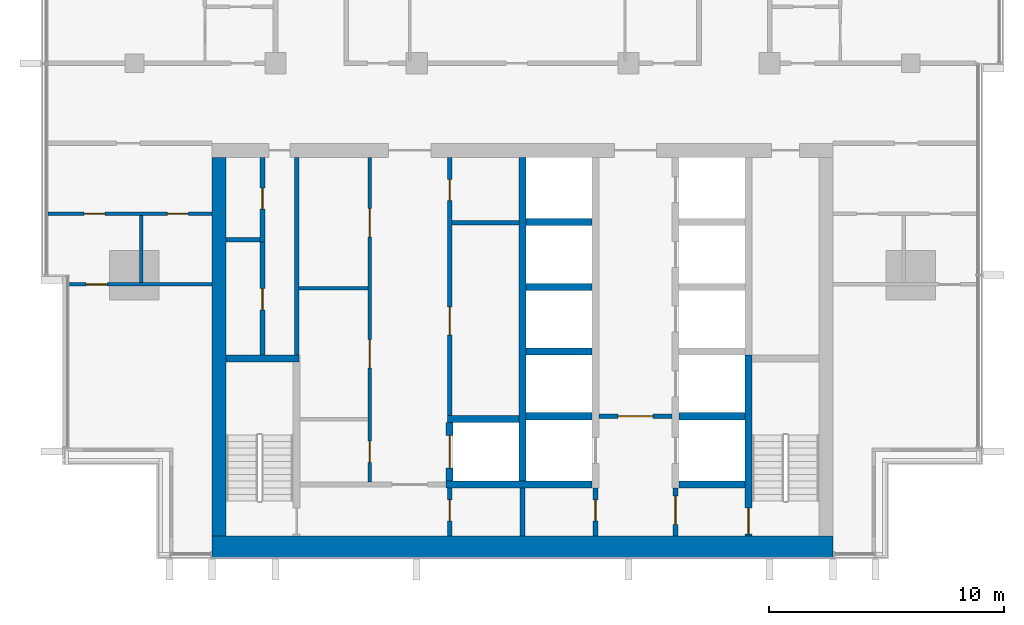
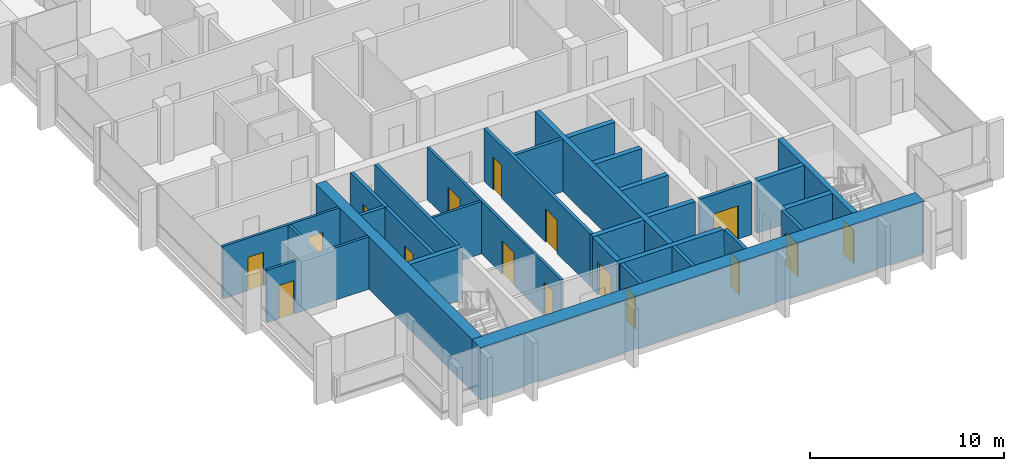
# One storey, part 7 of 17: 30 walls, 16 doors, 16 openings.
"""IFC4 building model written with IfcOpenShell, lengths in metres."""

from ifc_helpers import new_model, si_unit, direction, frame, frame_2d, origin, place, context, subcontext, project, spatial, rectangle, extrude, material, layer, layer_set, type_object, element, fill, save


model = new_model("IFC4")

# Units and contexts
model_context = context("Model", 3, precision=1e-05, world=origin(), true_north=direction((0.0, 1.0)))
body_context = subcontext(model_context, "Body", "Model", "MODEL_VIEW")
ifc_project = project(units=[si_unit("LENGTHUNIT", "METRE"), si_unit("AREAUNIT", "SQUARE_METRE"), si_unit("VOLUMEUNIT", "CUBIC_METRE"), si_unit("PLANEANGLEUNIT", "RADIAN"), si_unit("MASSUNIT", "GRAM", prefix="KILO")], contexts=[model_context])

# Site, building, storey
site_placement = place(None, origin())
site = spatial("IfcSite", under=ifc_project, at=site_placement, CompositionType="ELEMENT")
building_placement = place(site_placement, origin())
building = spatial("IfcBuilding", under=site, at=building_placement, Name="Finial Court Residences", CompositionType="ELEMENT")
storey_placement = place(building_placement, frame((0.0, 0.0, 205.10009765625)))
storey = spatial("IfcBuildingStorey", under=building, at=storey_placement, Name="L51", CompositionType="ELEMENT", Elevation=205.10009765625)

# Walls
ifc_material_1 = material(Name="Concrete C60/75", Category="concrete")
ifc_layer_1 = layer(ifc_material_1, 0.60009765625)
ifc_layer_set_1 = layer_set([ifc_layer_1], Name="Core outer wall 600 Concrete C60/75")
wall_type_1 = type_object("IfcWallType", Name="Core outer wall 600 Concrete C60/75", PredefinedType="SHEAR", material=ifc_layer_set_1)
wall_1_placement = place(storey_placement, frame((-12.89990234375, -24.60009765625, 0.0), z_axis=(0.0, 0.0, 1.0), x_axis=(0.0, 1.0, 0.0)))
element("IfcWall", 1, at=wall_1_placement, inside=storey, type_object=wall_type_1, Name="Core outer wall L51-03", PredefinedType="SHEAR", context=body_context, shape_type="SweptSolid", body=[
    extrude(rectangle(XDim=16.10009765625, YDim=0.60009765625, at=frame_2d((8.050048828125, 0.0))), origin(), (0.0, 0.0, 1.0), 3.2998046875),
])
ifc_material_2 = material(Name="Fire-rated gypsum board partition")
ifc_layer_2 = layer(ifc_material_2, 0.14990234375)
ifc_layer_set_2 = layer_set([ifc_layer_2], Name="Core room partition 150 EI 60")
wall_type_2 = type_object("IfcWallType", Name="Core room partition 150 EI 60", PredefinedType="PARTITIONING", material=ifc_layer_set_2)
wall_2_placement = place(storey_placement, frame((-9.5, -14.06005859375, 0.0), z_axis=(0.0, 0.0, 1.0), x_axis=(1.0, 0.0, 0.0)))
element("IfcWall", 2, at=wall_2_placement, inside=storey, type_object=wall_type_2, Name="Core partition L51-13", PredefinedType="PARTITIONING", context=body_context, shape_type="SweptSolid", body=[
    extrude(rectangle(XDim=2.925048828125, YDim=0.14990234375, at=frame_2d((1.46240234375, 0.0))), origin(), (0.0, 0.0, 1.0), 3.2998046875),
])

# Wall, openings, doors
wall_3_placement = place(storey_placement, frame((-6.5, -22.300048828125, 0.0), z_axis=(0.0, 0.0, 1.0), x_axis=(0.0, 1.0, 0.0)))
wall_3 = element("IfcWall", 3, at=wall_3_placement, inside=storey, type_object=wall_type_2, Name="Core partition L51-24", PredefinedType="PARTITIONING", context=body_context, shape_type="SweptSolid", body=[
    extrude(rectangle(XDim=13.800048828125, YDim=0.14990234375, at=frame_2d((6.89990234375, 0.0))), origin(), (0.0, 0.0, 1.0), 3.2998046875),
])
opening_1_placement = place(wall_3_placement, frame((0.840087890625, 0.0, 0.0)))
opening_1 = element("IfcOpeningElement", 4, at=opening_1_placement, cuts=wall_3, Name="Opening L51-C14", PredefinedType="OPENING", context=body_context, shape_type="SweptSolid", body=[
    extrude(rectangle(XDim=0.89990234375, YDim=2.10009765625, at=frame_2d((0.449951171875, 1.050048828125))), frame((0.0, 0.0849609375, 0.0), z_axis=(0.0, -1.0, 0.0), x_axis=(1.0, 0.0, 0.0)), (0.0, 0.0, 1.0), 0.169921875),
])
opening_2_placement = place(wall_3_placement, frame((4.860107421875, 0.0, 0.0)))
opening_2 = element("IfcOpeningElement", 5, at=opening_2_placement, cuts=wall_3, Name="Opening L51-C15", PredefinedType="OPENING", context=body_context, shape_type="SweptSolid", body=[
    extrude(rectangle(XDim=1.199951171875, YDim=2.10009765625, at=frame_2d((0.60009765625, 1.050048828125))), frame((0.0, 0.0849609375, 0.0), z_axis=(0.0, -1.0, 0.0), x_axis=(1.0, 0.0, 0.0)), (0.0, 0.0, 1.0), 0.169921875),
])
opening_3_placement = place(wall_3_placement, frame((10.419921875, 0.0, 0.0)))
opening_3 = element("IfcOpeningElement", 6, at=opening_3_placement, cuts=wall_3, Name="Opening L51-C16", PredefinedType="OPENING", context=body_context, shape_type="SweptSolid", body=[
    extrude(rectangle(XDim=1.199951171875, YDim=2.10009765625, at=frame_2d((0.60009765625, 1.050048828125))), frame((0.0, 0.0849609375, 0.0), z_axis=(0.0, -1.0, 0.0), x_axis=(1.0, 0.0, 0.0)), (0.0, 0.0, 1.0), 0.169921875),
])
ifc_material_3 = material(Name="Steel fire door", Category="steel")
door_type_1 = type_object("IfcDoorType", Name="Core room door 1200 x 2100 EI 60", OperationType="NOTDEFINED", PredefinedType="DOOR", material=ifc_material_3)
door_1_placement = place(opening_2_placement, origin())
door_1 = element("IfcDoor", 7, at=door_1_placement, inside=storey, type_object=door_type_1, Name="Core room door L51-C15", OperationType="SINGLE_SWING_RIGHT", OverallHeight=2.10009765625, OverallWidth=1.199951171875, PredefinedType="DOOR", context=body_context, shape_type="SweptSolid", body=[
    extrude(rectangle(XDim=1.199951171875, YDim=2.10009765625, at=frame_2d((0.60009765625, 1.050048828125))), frame((0.0, 0.02490234375, 0.0), z_axis=(0.0, -1.0, 0.0), x_axis=(1.0, 0.0, 0.0)), (0.0, 0.0, 1.0), 0.050048828125),
])
fill(opening_2, door_1)
door_2_placement = place(opening_3_placement, origin())
door_2 = element("IfcDoor", 8, at=door_2_placement, inside=storey, type_object=door_type_1, Name="Core room door L51-C16", OperationType="SINGLE_SWING_RIGHT", OverallHeight=2.10009765625, OverallWidth=1.199951171875, PredefinedType="DOOR", context=body_context, shape_type="SweptSolid", body=[
    extrude(rectangle(XDim=1.199951171875, YDim=2.10009765625, at=frame_2d((0.60009765625, 1.050048828125))), frame((0.0, 0.02490234375, 0.0), z_axis=(0.0, -1.0, 0.0), x_axis=(1.0, 0.0, 0.0)), (0.0, 0.0, 1.0), 0.050048828125),
])
fill(opening_3, door_2)
door_type_2 = type_object("IfcDoorType", Name="Core room door 900 x 2100 EI 60", OperationType="NOTDEFINED", PredefinedType="DOOR", material=ifc_material_3)
door_3_placement = place(opening_1_placement, origin())
door_3 = element("IfcDoor", 9, at=door_3_placement, inside=storey, type_object=door_type_2, Name="Core room door L51-C14", OperationType="SINGLE_SWING_LEFT", OverallHeight=2.10009765625, OverallWidth=0.89990234375, PredefinedType="DOOR", context=body_context, shape_type="SweptSolid", body=[
    extrude(rectangle(XDim=0.89990234375, YDim=2.10009765625, at=frame_2d((0.449951171875, 1.050048828125))), frame((0.0, 0.02490234375, 0.0), z_axis=(0.0, -1.0, 0.0), x_axis=(1.0, 0.0, 0.0)), (0.0, 0.0, 1.0), 0.050048828125),
])
fill(opening_1, door_3)

# Wall
ifc_layer_3 = layer(ifc_material_1, 0.89990234375)
ifc_layer_set_3 = layer_set([ifc_layer_3], Name="Core south facade wall 900 Concrete C60/75")
wall_type_3 = type_object("IfcWallType", Name="Core south facade wall 900 Concrete C60/75", PredefinedType="SHEAR", material=ifc_layer_set_3)
wall_4_placement = place(storey_placement, frame((-13.199951171875, -25.050048828125, 0.0), z_axis=(0.0, 0.0, 1.0), x_axis=(1.0, 0.0, 0.0)))
element("IfcWall", 10, at=wall_4_placement, inside=storey, type_object=wall_type_3, Name="Core outer wall L51-01", PredefinedType="SHEAR", context=body_context, shape_type="SweptSolid", body=[
    extrude(rectangle(XDim=26.39990234375, YDim=0.89990234375, at=frame_2d((13.199951171875, 0.0))), origin(), (0.0, 0.0, 1.0), 3.2998046875),
])

# Wall, opening, door
ifc_layer_4 = layer(ifc_material_2, 0.199951171875)
ifc_layer_set_4 = layer_set([ifc_layer_4], Name="Firefighting lobby wall 200 EI 120")
wall_type_4 = type_object("IfcWallType", Name="Firefighting lobby wall 200 EI 120", PredefinedType="PARTITIONING", material=ifc_layer_set_4)
wall_5_placement = place(storey_placement, frame((6.35009765625, -19.5, 0.0), z_axis=(0.0, 0.0, 1.0), x_axis=(-1.0, 0.0, 0.0)))
wall_5 = element("IfcWall", 11, at=wall_5_placement, inside=storey, type_object=wall_type_4, Name="Core partition L51-07", PredefinedType="PARTITIONING", context=body_context, shape_type="SweptSolid", body=[
    extrude(rectangle(XDim=3.10009765625, YDim=0.199951171875, at=frame_2d((1.550048828125, 0.0))), origin(), (0.0, 0.0, 1.0), 3.2998046875),
])
opening_4_placement = place(wall_5_placement, frame((0.800048828125, 0.0, 0.0)))
opening_4 = element("IfcOpeningElement", 12, at=opening_4_placement, cuts=wall_5, Name="Opening L51-C02", PredefinedType="OPENING", context=body_context, shape_type="SweptSolid", body=[
    extrude(rectangle(XDim=1.5, YDim=2.10009765625, at=frame_2d((0.75, 1.050048828125))), frame((0.0, 0.10986328125, 0.0), z_axis=(0.0, -1.0, 0.0), x_axis=(1.0, 0.0, 0.0)), (0.0, 0.0, 1.0), 0.219970703125),
])
door_type_3 = type_object("IfcDoorType", Name="Firefighting lobby door 1500 x 2100 EI 90", OperationType="DOUBLE_DOOR_SINGLE_SWING", PredefinedType="DOOR", material=ifc_material_3)
door_4_placement = place(opening_4_placement, origin())
door_4 = element("IfcDoor", 13, at=door_4_placement, inside=storey, type_object=door_type_3, Name="Firefighting lobby door L51-C02", OperationType="DOUBLE_DOOR_SINGLE_SWING", OverallHeight=2.10009765625, OverallWidth=1.5, PredefinedType="DOOR", context=body_context, shape_type="SweptSolid", body=[
    extrude(rectangle(XDim=1.5, YDim=2.10009765625, at=frame_2d((0.75, 1.050048828125))), frame((0.0, 0.02490234375, 0.0), z_axis=(0.0, -1.0, 0.0), x_axis=(1.0, 0.0, 0.0)), (0.0, 0.0, 1.0), 0.050048828125),
])
fill(opening_4, door_4)

wall_6_placement = place(storey_placement, frame((3.10009765625, -24.60009765625, 0.0), z_axis=(0.0, 0.0, 1.0), x_axis=(0.0, 1.0, 0.0)))
wall_6 = element("IfcWall", 14, at=wall_6_placement, inside=storey, type_object=wall_type_4, Name="Core partition L51-30", PredefinedType="PARTITIONING", context=body_context, shape_type="SweptSolid", body=[
    extrude(rectangle(XDim=2.050048828125, YDim=0.199951171875, at=frame_2d((1.02490234375, 0.0))), origin(), (0.0, 0.0, 1.0), 3.2998046875),
])
opening_5_placement = place(wall_6_placement, frame((0.64990234375, 0.0, 0.0)))
opening_5 = element("IfcOpeningElement", 15, at=opening_5_placement, cuts=wall_6, Name="Opening L51-C06", PredefinedType="OPENING", context=body_context, shape_type="SweptSolid", body=[
    extrude(rectangle(XDim=0.89990234375, YDim=2.10009765625, at=frame_2d((0.449951171875, 1.050048828125))), frame((0.0, 0.10986328125, 0.0), z_axis=(0.0, -1.0, 0.0), x_axis=(1.0, 0.0, 0.0)), (0.0, 0.0, 1.0), 0.219970703125),
])
door_type_4 = type_object("IfcDoorType", Name="Riser room door 900 x 2100 EI 90", OperationType="NOTDEFINED", PredefinedType="DOOR", material=ifc_material_3)
door_5_placement = place(opening_5_placement, origin())
door_5 = element("IfcDoor", 16, at=door_5_placement, inside=storey, type_object=door_type_4, Name="Riser room door L51-C06", OperationType="SINGLE_SWING_LEFT", OverallHeight=2.10009765625, OverallWidth=0.89990234375, PredefinedType="DOOR", context=body_context, shape_type="SweptSolid", body=[
    extrude(rectangle(XDim=0.89990234375, YDim=2.10009765625, at=frame_2d((0.449951171875, 1.050048828125))), frame((0.0, 0.02490234375, 0.0), z_axis=(0.0, -1.0, 0.0), x_axis=(1.0, 0.0, 0.0)), (0.0, 0.0, 1.0), 0.050048828125),
])
fill(opening_5, door_5)

wall_7_placement = place(storey_placement, frame((6.5, -22.550048828125, 0.0), z_axis=(0.0, 0.0, 1.0), x_axis=(0.0, -1.0, 0.0)))
wall_7 = element("IfcWall", 17, at=wall_7_placement, inside=storey, type_object=wall_type_4, Name="Core partition L51-32", PredefinedType="PARTITIONING", context=body_context, shape_type="SweptSolid", body=[
    extrude(rectangle(XDim=2.050048828125, YDim=0.199951171875, at=frame_2d((1.02490234375, 0.0))), origin(), (0.0, 0.0, 1.0), 3.2998046875),
])
opening_6_placement = place(wall_7_placement, frame((0.35009765625, 0.0, 0.0)))
opening_6 = element("IfcOpeningElement", 18, at=opening_6_placement, cuts=wall_7, Name="Opening L51-C01", PredefinedType="OPENING", context=body_context, shape_type="SweptSolid", body=[
    extrude(rectangle(XDim=1.199951171875, YDim=2.10009765625, at=frame_2d((0.60009765625, 1.050048828125))), frame((0.0, 0.10986328125, 0.0), z_axis=(0.0, -1.0, 0.0), x_axis=(1.0, 0.0, 0.0)), (0.0, 0.0, 1.0), 0.219970703125),
])
door_type_5 = type_object("IfcDoorType", Name="Firefighting lobby door 1200 x 2100 EI 90", OperationType="NOTDEFINED", PredefinedType="DOOR", material=ifc_material_3)
door_6_placement = place(opening_6_placement, origin())
door_6 = element("IfcDoor", 19, at=door_6_placement, inside=storey, type_object=door_type_5, Name="Firefighting lobby door L51-C01", OperationType="SINGLE_SWING_RIGHT", OverallHeight=2.10009765625, OverallWidth=1.199951171875, PredefinedType="DOOR", context=body_context, shape_type="SweptSolid", body=[
    extrude(rectangle(XDim=1.199951171875, YDim=2.10009765625, at=frame_2d((0.60009765625, 1.050048828125))), frame((0.0, 0.02490234375, 0.0), z_axis=(0.0, -1.0, 0.0), x_axis=(1.0, 0.0, 0.0)), (0.0, 0.0, 1.0), 0.050048828125),
])
fill(opening_6, door_6)

ifc_material_4 = material(Name="Moisture-resistant gypsum board")
ifc_layer_5 = layer(ifc_material_4, 0.012451171875)
ifc_material_5 = material(Name="Mineral wool in light-gauge frame")
ifc_layer_6 = layer(ifc_material_5, 0.125)
ifc_layer_7 = layer(ifc_material_4, 0.012451171875)
ifc_layer_set_5 = layer_set([ifc_layer_5, ifc_layer_6, ifc_layer_7], Name="Gypsum board wet-area partition 150")
wall_type_5 = type_object("IfcWallType", Name="Gypsum board wet-area partition 150", PredefinedType="PARTITIONING", material=ifc_layer_set_5)
wall_8_placement = place(storey_placement, frame((-19.262451171875, -13.89990234375, 0.0), z_axis=(0.0, 0.0, 1.0), x_axis=(1.0, 0.0, 0.0)))
wall_8 = element("IfcWall", 20, at=wall_8_placement, inside=storey, type_object=wall_type_5, Name="Partition L51-000", PredefinedType="PARTITIONING", context=body_context, shape_type="SweptSolid", body=[
    extrude(rectangle(XDim=6.0625, YDim=0.14990234375, at=frame_2d((3.03125, 0.0))), origin(), (0.0, 0.0, 1.0), 3.2998046875),
])
opening_7_placement = place(wall_8_placement, frame((0.7119140625, 0.0, 0.0)))
opening_7 = element("IfcOpeningElement", 21, at=opening_7_placement, cuts=wall_8, Name="Opening L51-D001", PredefinedType="OPENING", context=body_context, shape_type="SweptSolid", body=[
    extrude(rectangle(XDim=0.89990234375, YDim=2.10009765625, at=frame_2d((0.449951171875, 1.050048828125))), frame((0.0, 0.0849609375, 0.0), z_axis=(0.0, -1.0, 0.0), x_axis=(1.0, 0.0, 0.0)), (0.0, 0.0, 1.0), 0.169921875),
])
ifc_material_6 = material(Name="Timber door leaf in timber frame", Category="wood")
door_type_6 = type_object("IfcDoorType", Name="Door set 900 x 2100", OperationType="SINGLE_SWING_LEFT", PredefinedType="DOOR", material=ifc_material_6)
door_7_placement = place(opening_7_placement, origin())
door_7 = element("IfcDoor", 22, at=door_7_placement, inside=storey, type_object=door_type_6, Name="Door L51-D001", OperationType="SINGLE_SWING_LEFT", OverallHeight=2.10009765625, OverallWidth=0.89990234375, PredefinedType="DOOR", context=body_context, shape_type="SweptSolid", body=[
    extrude(rectangle(XDim=0.89990234375, YDim=2.10009765625, at=frame_2d((0.449951171875, 1.050048828125))), frame((0.0, 0.02490234375, 0.0), z_axis=(0.0, -1.0, 0.0), x_axis=(1.0, 0.0, 0.0)), (0.0, 0.0, 1.0), 0.050048828125),
])
fill(opening_7, door_7)

# Wall, openings, doors
wall_9_placement = place(storey_placement, frame((-20.16259765625, -10.89990234375, 0.0), z_axis=(0.0, 0.0, 1.0), x_axis=(1.0, 0.0, 0.0)))
wall_9 = element("IfcWall", 23, at=wall_9_placement, inside=storey, type_object=wall_type_5, Name="Partition L51-002", PredefinedType="PARTITIONING", context=body_context, shape_type="SweptSolid", body=[
    extrude(rectangle(XDim=6.962646484375, YDim=0.14990234375, at=frame_2d((3.4814453125, 0.0))), origin(), (0.0, 0.0, 1.0), 3.2998046875),
])
opening_8_placement = place(wall_9_placement, frame((1.512939453125, 0.0, 0.0)))
opening_8 = element("IfcOpeningElement", 24, at=opening_8_placement, cuts=wall_9, Name="Opening L51-D003", PredefinedType="OPENING", context=body_context, shape_type="SweptSolid", body=[
    extrude(rectangle(XDim=0.89990234375, YDim=2.10009765625, at=frame_2d((0.449951171875, 1.050048828125))), frame((0.0, 0.0849609375, 0.0), z_axis=(0.0, -1.0, 0.0), x_axis=(1.0, 0.0, 0.0)), (0.0, 0.0, 1.0), 0.169921875),
])
opening_9_placement = place(wall_9_placement, frame((5.06298828125, 0.0, 0.0)))
opening_9 = element("IfcOpeningElement", 25, at=opening_9_placement, cuts=wall_9, Name="Opening L51-D004", PredefinedType="OPENING", context=body_context, shape_type="SweptSolid", body=[
    extrude(rectangle(XDim=0.89990234375, YDim=2.10009765625, at=frame_2d((0.449951171875, 1.050048828125))), frame((0.0, 0.0849609375, 0.0), z_axis=(0.0, -1.0, 0.0), x_axis=(1.0, 0.0, 0.0)), (0.0, 0.0, 1.0), 0.169921875),
])
door_8_placement = place(opening_8_placement, origin())
door_8 = element("IfcDoor", 26, at=door_8_placement, inside=storey, type_object=door_type_6, Name="Door L51-D003", OperationType="SINGLE_SWING_LEFT", OverallHeight=2.10009765625, OverallWidth=0.89990234375, PredefinedType="DOOR", context=body_context, shape_type="SweptSolid", body=[
    extrude(rectangle(XDim=0.89990234375, YDim=2.10009765625, at=frame_2d((0.449951171875, 1.050048828125))), frame((0.0, 0.02490234375, 0.0), z_axis=(0.0, -1.0, 0.0), x_axis=(1.0, 0.0, 0.0)), (0.0, 0.0, 1.0), 0.050048828125),
])
fill(opening_8, door_8)
door_9_placement = place(opening_9_placement, origin())
door_9 = element("IfcDoor", 27, at=door_9_placement, inside=storey, type_object=door_type_6, Name="Door L51-D004", OperationType="SINGLE_SWING_RIGHT", OverallHeight=2.10009765625, OverallWidth=0.89990234375, PredefinedType="DOOR", context=body_context, shape_type="SweptSolid", body=[
    extrude(rectangle(XDim=0.89990234375, YDim=2.10009765625, at=frame_2d((0.449951171875, 1.050048828125))), frame((0.0, 0.02490234375, 0.0), z_axis=(0.0, -1.0, 0.0), x_axis=(1.0, 0.0, 0.0)), (0.0, 0.0, 1.0), 0.050048828125),
])
fill(opening_9, door_9)

# Walls
wall_10_placement = place(storey_placement, frame((-16.199951171875, -13.824951171875, 0.0), z_axis=(0.0, 0.0, 1.0), x_axis=(0.0, 1.0, 0.0)))
element("IfcWall", 28, at=wall_10_placement, inside=storey, type_object=wall_type_5, Name="Partition L51-026", PredefinedType="PARTITIONING", context=body_context, shape_type="SweptSolid", body=[
    extrude(rectangle(XDim=2.849853515625, YDim=0.14990234375, at=frame_2d((1.4248046875, 0.0))), origin(), (0.0, 0.0, 1.0), 3.2998046875),
])
ifc_layer_8 = layer(ifc_material_1, 0.300048828125)
ifc_layer_set_6 = layer_set([ifc_layer_8], Name="Lift shaft and stair wall 300 Concrete C60/75")
wall_type_6 = type_object("IfcWallType", Name="Lift shaft and stair wall 300 Concrete C60/75", PredefinedType="SHEAR", material=ifc_layer_set_6)
wall_11_placement = place(storey_placement, frame((-3.25, -22.39990234375, 0.0), z_axis=(0.0, 0.0, 1.0), x_axis=(1.0, 0.0, 0.0)))
element("IfcWall", 29, at=wall_11_placement, inside=storey, type_object=wall_type_6, Name="Core wall L51-02", PredefinedType="SHEAR", context=body_context, shape_type="SweptSolid", body=[
    extrude(rectangle(XDim=6.199951171875, YDim=0.300048828125, at=frame_2d((3.10009765625, 0.0))), origin(), (0.0, 0.0, 1.0), 3.2998046875),
])
wall_12_placement = place(storey_placement, frame((6.64990234375, -22.39990234375, 0.0), z_axis=(0.0, 0.0, 1.0), x_axis=(1.0, 0.0, 0.0)))
element("IfcWall", 30, at=wall_12_placement, inside=storey, type_object=wall_type_6, Name="Core wall L51-03", PredefinedType="SHEAR", context=body_context, shape_type="SweptSolid", body=[
    extrude(rectangle(XDim=2.800048828125, YDim=0.300048828125, at=frame_2d((1.39990234375, 0.0))), origin(), (0.0, 0.0, 1.0), 3.2998046875),
])
wall_13_placement = place(storey_placement, frame((-3.199951171875, -19.6201171875, 0.0), z_axis=(0.0, 0.0, 1.0), x_axis=(1.0, 0.0, 0.0)))
element("IfcWall", 31, at=wall_13_placement, inside=storey, type_object=wall_type_6, Name="Core wall L51-05", PredefinedType="SHEAR", context=body_context, shape_type="SweptSolid", body=[
    extrude(rectangle(XDim=3.050048828125, YDim=0.300048828125, at=frame_2d((1.52490234375, 0.0))), origin(), (0.0, 0.0, 1.0), 3.2998046875),
])
for number, where, z_axis, x_axis, name in (
    (32, (0.14990234375, -19.5, 0.0), (0.0, 0.0, 1.0), (1.0, 0.0, 0.0), "Core wall L51-06"),
    (33, (6.64990234375, -19.5, 0.0), (0.0, 0.0, 1.0), (1.0, 0.0, 0.0), "Core wall L51-08"),
):
    element("IfcWall", number, at=place(storey_placement, frame(where, z_axis=z_axis, x_axis=x_axis)), inside=storey, type_object=wall_type_6, Name=name, PredefinedType="SHEAR", context=body_context, shape_type="SweptSolid", body=[
        extrude(rectangle(XDim=2.800048828125, YDim=0.300048828125, at=frame_2d((1.39990234375, 0.0))), origin(), (0.0, 0.0, 1.0), 3.2998046875),
    ])
wall_14_placement = place(storey_placement, frame((-12.60009765625, -17.050048828125, 0.0), z_axis=(0.0, 0.0, 1.0), x_axis=(1.0, 0.0, 0.0)))
element("IfcWall", 34, at=wall_14_placement, inside=storey, type_object=wall_type_6, Name="Core wall L51-09", PredefinedType="SHEAR", context=body_context, shape_type="SweptSolid", body=[
    extrude(rectangle(XDim=3.10009765625, YDim=0.300048828125, at=frame_2d((1.550048828125, 0.0))), origin(), (0.0, 0.0, 1.0), 3.2998046875),
])
for number, where, z_axis, x_axis, name in (
    (35, (0.14990234375, -16.75, 0.0), (0.0, 0.0, 1.0), (1.0, 0.0, 0.0), "Core wall L51-11"),
    (36, (0.14990234375, -14.0, 0.0), (0.0, 0.0, 1.0), (1.0, 0.0, 0.0), "Core wall L51-14"),
    (37, (0.14990234375, -11.25, 0.0), (0.0, 0.0, 1.0), (1.0, 0.0, 0.0), "Core wall L51-18"),
):
    element("IfcWall", number, at=place(storey_placement, frame(where, z_axis=z_axis, x_axis=x_axis)), inside=storey, type_object=wall_type_6, Name=name, PredefinedType="SHEAR", context=body_context, shape_type="SweptSolid", body=[
        extrude(rectangle(XDim=2.800048828125, YDim=0.300048828125, at=frame_2d((1.39990234375, 0.0))), origin(), (0.0, 0.0, 1.0), 3.2998046875),
    ])

# Wall, opening, door
wall_15_placement = place(storey_placement, frame((-3.10009765625, -22.25, 0.0), z_axis=(0.0, 0.0, 1.0), x_axis=(0.0, 1.0, 0.0)))
wall_15 = element("IfcWall", 38, at=wall_15_placement, inside=storey, type_object=wall_type_6, Name="Core wall L51-26", PredefinedType="SHEAR", context=body_context, shape_type="SweptSolid", body=[
    extrude(rectangle(XDim=2.47998046875, YDim=0.300048828125, at=frame_2d((1.239990234375, 0.0))), origin(), (0.0, 0.0, 1.0), 3.2998046875),
])
opening_10_placement = place(wall_15_placement, frame((0.5400390625, 0.0, 0.0)))
opening_10 = element("IfcOpeningElement", 39, at=opening_10_placement, cuts=wall_15, Name="Opening L51-LD07", PredefinedType="OPENING", context=body_context, shape_type="SweptSolid", body=[
    extrude(rectangle(XDim=1.39990234375, YDim=2.10009765625, at=frame_2d((0.699951171875, 1.050048828125))), frame((0.0, 0.159912109375, 0.0), z_axis=(0.0, -1.0, 0.0), x_axis=(1.0, 0.0, 0.0)), (0.0, 0.0, 1.0), 0.320068359375),
])
ifc_material_7 = material(Name="Stainless steel lift door", Category="steel")
door_type_7 = type_object("IfcDoorType", Name="Lift landing door 1400 x 2100 EI 90", OperationType="DOUBLE_DOOR_SLIDING", PredefinedType="DOOR", material=ifc_material_7)
door_10_placement = place(opening_10_placement, origin())
door_10 = element("IfcDoor", 40, at=door_10_placement, inside=storey, type_object=door_type_7, Name="Lift landing door SV1 L51", OperationType="DOUBLE_DOOR_SLIDING", OverallHeight=2.10009765625, OverallWidth=1.39990234375, PredefinedType="DOOR", context=body_context, shape_type="SweptSolid", body=[
    extrude(rectangle(XDim=1.39990234375, YDim=2.10009765625, at=frame_2d((0.699951171875, 1.050048828125))), frame((0.0, 0.02490234375, 0.0), z_axis=(0.0, -1.0, 0.0), x_axis=(1.0, 0.0, 0.0)), (0.0, 0.0, 1.0), 0.050048828125),
])
fill(opening_10, door_10)

# Wall
wall_16_placement = place(storey_placement, frame((0.0, -22.25, 0.0), z_axis=(0.0, 0.0, 1.0), x_axis=(0.0, 1.0, 0.0)))
element("IfcWall", 41, at=wall_16_placement, inside=storey, type_object=wall_type_6, Name="Core wall L51-29", PredefinedType="SHEAR", context=body_context, shape_type="SweptSolid", body=[
    extrude(rectangle(XDim=13.75, YDim=0.300048828125, at=frame_2d((6.875, 0.0))), origin(), (0.0, 0.0, 1.0), 3.2998046875),
])

# Wall, opening, door
wall_17_placement = place(storey_placement, frame((9.60009765625, -16.89990234375, 0.0), z_axis=(0.0, 0.0, 1.0), x_axis=(0.0, -1.0, 0.0)))
wall_17 = element("IfcWall", 42, at=wall_17_placement, inside=storey, type_object=wall_type_6, Name="Core wall L51-34", PredefinedType="SHEAR", context=body_context, shape_type="SweptSolid", body=[
    extrude(rectangle(XDim=7.7001953125, YDim=0.300048828125, at=frame_2d((3.85009765625, 0.0))), origin(), (0.0, 0.0, 1.0), 3.2998046875),
])
opening_11_placement = place(wall_17_placement, frame((6.5, 0.0, 0.0)))
opening_11 = element("IfcOpeningElement", 43, at=opening_11_placement, cuts=wall_17, Name="Opening L51-C18", PredefinedType="OPENING", context=body_context, shape_type="SweptSolid", body=[
    extrude(rectangle(XDim=1.10009765625, YDim=2.10009765625, at=frame_2d((0.550048828125, 1.050048828125))), frame((0.0, 0.159912109375, 0.0), z_axis=(0.0, -1.0, 0.0), x_axis=(1.0, 0.0, 0.0)), (0.0, 0.0, 1.0), 0.320068359375),
])
door_type_8 = type_object("IfcDoorType", Name="Stair door 1100 x 2100 EI 90", OperationType="NOTDEFINED", PredefinedType="DOOR", material=ifc_material_3)
door_11_placement = place(opening_11_placement, origin())
door_11 = element("IfcDoor", 44, at=door_11_placement, inside=storey, type_object=door_type_8, Name="Stair door L51-C18", OperationType="SINGLE_SWING_RIGHT", OverallHeight=2.10009765625, OverallWidth=1.10009765625, PredefinedType="DOOR", context=body_context, shape_type="SweptSolid", body=[
    extrude(rectangle(XDim=1.10009765625, YDim=2.10009765625, at=frame_2d((0.550048828125, 1.050048828125))), frame((0.0, 0.02490234375, 0.0), z_axis=(0.0, -1.0, 0.0), x_axis=(1.0, 0.0, 0.0)), (0.0, 0.0, 1.0), 0.050048828125),
])
fill(opening_11, door_11)

# Walls
ifc_layer_9 = layer(ifc_material_2, 0.199951171875)
ifc_layer_set_7 = layer_set([ifc_layer_9], Name="Riser room wall 200 EI 120")
wall_type_7 = type_object("IfcWallType", Name="Riser room wall 200 EI 120", PredefinedType="PARTITIONING", material=ifc_layer_set_7)
wall_18_placement = place(storey_placement, frame((-12.60009765625, -12.0, 0.0), z_axis=(0.0, 0.0, 1.0), x_axis=(1.0, 0.0, 0.0)))
element("IfcWall", 45, at=wall_18_placement, inside=storey, type_object=wall_type_7, Name="Core partition L51-16", PredefinedType="PARTITIONING", context=body_context, shape_type="SweptSolid", body=[
    extrude(rectangle(XDim=1.4501953125, YDim=0.199951171875, at=frame_2d((0.72509765625, 0.0))), origin(), (0.0, 0.0, 1.0), 3.2998046875),
])
wall_19_placement = place(storey_placement, frame((-3.0, -11.280029296875, 0.0), z_axis=(0.0, 0.0, 1.0), x_axis=(1.0, 0.0, 0.0)))
element("IfcWall", 46, at=wall_19_placement, inside=storey, type_object=wall_type_7, Name="Core partition L51-17", PredefinedType="PARTITIONING", context=body_context, shape_type="SweptSolid", body=[
    extrude(rectangle(XDim=2.85009765625, YDim=0.199951171875, at=frame_2d((1.425048828125, 0.0))), origin(), (0.0, 0.0, 1.0), 3.2998046875),
])

# Wall, opening, door
wall_20_placement = place(storey_placement, frame((-11.050048828125, -12.10009765625, 0.0), z_axis=(0.0, 0.0, 1.0), x_axis=(0.0, 1.0, 0.0)))
wall_20 = element("IfcWall", 47, at=wall_20_placement, inside=storey, type_object=wall_type_7, Name="Core partition L51-21", PredefinedType="PARTITIONING", context=body_context, shape_type="SweptSolid", body=[
    extrude(rectangle(XDim=3.60009765625, YDim=0.199951171875, at=frame_2d((1.800048828125, 0.0))), origin(), (0.0, 0.0, 1.0), 3.2998046875),
])
opening_12_placement = place(wall_20_placement, frame((1.39990234375, 0.0, 0.0)))
opening_12 = element("IfcOpeningElement", 48, at=opening_12_placement, cuts=wall_20, Name="Opening L51-C07", PredefinedType="OPENING", context=body_context, shape_type="SweptSolid", body=[
    extrude(rectangle(XDim=0.89990234375, YDim=2.10009765625, at=frame_2d((0.449951171875, 1.050048828125))), frame((0.0, 0.10986328125, 0.0), z_axis=(0.0, -1.0, 0.0), x_axis=(1.0, 0.0, 0.0)), (0.0, 0.0, 1.0), 0.219970703125),
])
door_12_placement = place(opening_12_placement, origin())
door_12 = element("IfcDoor", 49, at=door_12_placement, inside=storey, type_object=door_type_4, Name="Riser room door L51-C07", OperationType="SINGLE_SWING_LEFT", OverallHeight=2.10009765625, OverallWidth=0.89990234375, PredefinedType="DOOR", context=body_context, shape_type="SweptSolid", body=[
    extrude(rectangle(XDim=0.89990234375, YDim=2.10009765625, at=frame_2d((0.449951171875, 1.050048828125))), frame((0.0, 0.02490234375, 0.0), z_axis=(0.0, -1.0, 0.0), x_axis=(1.0, 0.0, 0.0)), (0.0, 0.0, 1.0), 0.050048828125),
])
fill(opening_12, door_12)

# Wall, openings, doors
wall_21_placement = place(storey_placement, frame((-3.10009765625, -8.5, 0.0), z_axis=(0.0, 0.0, 1.0), x_axis=(0.0, -1.0, 0.0)))
wall_21 = element("IfcWall", 50, at=wall_21_placement, inside=storey, type_object=wall_type_7, Name="Core partition L51-27", PredefinedType="PARTITIONING", context=body_context, shape_type="SweptSolid", body=[
    extrude(rectangle(XDim=10.969970703125, YDim=0.199951171875, at=frame_2d((5.48486328125, 0.0))), origin(), (0.0, 0.0, 1.0), 3.2998046875),
])
opening_13_placement = place(wall_21_placement, frame((6.35009765625, 0.0, 0.0)))
opening_13 = element("IfcOpeningElement", 51, at=opening_13_placement, cuts=wall_21, Name="Opening L51-C08", PredefinedType="OPENING", context=body_context, shape_type="SweptSolid", body=[
    extrude(rectangle(XDim=1.199951171875, YDim=2.10009765625, at=frame_2d((0.60009765625, 1.050048828125))), frame((0.0, 0.10986328125, 0.0), z_axis=(0.0, -1.0, 0.0), x_axis=(1.0, 0.0, 0.0)), (0.0, 0.0, 1.0), 0.219970703125),
])
opening_14_placement = place(wall_21_placement, frame((0.93994140625, 0.0, 0.0)))
opening_14 = element("IfcOpeningElement", 52, at=opening_14_placement, cuts=wall_21, Name="Opening L51-C09", PredefinedType="OPENING", context=body_context, shape_type="SweptSolid", body=[
    extrude(rectangle(XDim=0.89990234375, YDim=2.10009765625, at=frame_2d((0.449951171875, 1.050048828125))), frame((0.0, 0.10986328125, 0.0), z_axis=(0.0, -1.0, 0.0), x_axis=(1.0, 0.0, 0.0)), (0.0, 0.0, 1.0), 0.219970703125),
])
door_type_9 = type_object("IfcDoorType", Name="Riser room door 1200 x 2100 EI 90", OperationType="NOTDEFINED", PredefinedType="DOOR", material=ifc_material_3)
door_13_placement = place(opening_13_placement, origin())
door_13 = element("IfcDoor", 53, at=door_13_placement, inside=storey, type_object=door_type_9, Name="Riser room door L51-C08", OperationType="SINGLE_SWING_RIGHT", OverallHeight=2.10009765625, OverallWidth=1.199951171875, PredefinedType="DOOR", context=body_context, shape_type="SweptSolid", body=[
    extrude(rectangle(XDim=1.199951171875, YDim=2.10009765625, at=frame_2d((0.60009765625, 1.050048828125))), frame((0.0, 0.02490234375, 0.0), z_axis=(0.0, -1.0, 0.0), x_axis=(1.0, 0.0, 0.0)), (0.0, 0.0, 1.0), 0.050048828125),
])
fill(opening_13, door_13)
door_14_placement = place(opening_14_placement, origin())
door_14 = element("IfcDoor", 54, at=door_14_placement, inside=storey, type_object=door_type_4, Name="Riser room door L51-C09", OperationType="SINGLE_SWING_RIGHT", OverallHeight=2.10009765625, OverallWidth=0.89990234375, PredefinedType="DOOR", context=body_context, shape_type="SweptSolid", body=[
    extrude(rectangle(XDim=0.89990234375, YDim=2.10009765625, at=frame_2d((0.449951171875, 1.050048828125))), frame((0.0, 0.02490234375, 0.0), z_axis=(0.0, -1.0, 0.0), x_axis=(1.0, 0.0, 0.0)), (0.0, 0.0, 1.0), 0.050048828125),
])
fill(opening_14, door_14)

# Wall
wall_22_placement = place(storey_placement, frame((0.0, -24.60009765625, 0.0), z_axis=(0.0, 0.0, 1.0), x_axis=(0.0, 1.0, 0.0)))
element("IfcWall", 55, at=wall_22_placement, inside=storey, type_object=wall_type_7, Name="Core partition L51-28", PredefinedType="PARTITIONING", context=body_context, shape_type="SweptSolid", body=[
    extrude(rectangle(XDim=2.050048828125, YDim=0.199951171875, at=frame_2d((1.02490234375, 0.0))), origin(), (0.0, 0.0, 1.0), 3.2998046875),
])

# Wall, opening, door
ifc_layer_10 = layer(ifc_material_2, 0.199951171875)
ifc_layer_set_8 = layer_set([ifc_layer_10], Name="Stair passage wall 200 EI 180")
wall_type_8 = type_object("IfcWallType", Name="Stair passage wall 200 EI 180", PredefinedType="PARTITIONING", material=ifc_layer_set_8)
wall_23_placement = place(storey_placement, frame((-11.050048828125, -16.89990234375, 0.0), z_axis=(0.0, 0.0, 1.0), x_axis=(0.0, 1.0, 0.0)))
wall_23 = element("IfcWall", 56, at=wall_23_placement, inside=storey, type_object=wall_type_8, Name="Core partition L51-20", PredefinedType="PARTITIONING", context=body_context, shape_type="SweptSolid", body=[
    extrude(rectangle(XDim=5.0, YDim=0.199951171875, at=frame_2d((2.5, 0.0))), origin(), (0.0, 0.0, 1.0), 3.2998046875),
])
opening_15_placement = place(wall_23_placement, frame((1.925048828125, 0.0, 0.0)))
opening_15 = element("IfcOpeningElement", 57, at=opening_15_placement, cuts=wall_23, Name="Opening L51-C13", PredefinedType="OPENING", context=body_context, shape_type="SweptSolid", body=[
    extrude(rectangle(XDim=0.89990234375, YDim=2.10009765625, at=frame_2d((0.449951171875, 1.050048828125))), frame((0.0, 0.10986328125, 0.0), z_axis=(0.0, -1.0, 0.0), x_axis=(1.0, 0.0, 0.0)), (0.0, 0.0, 1.0), 0.219970703125),
])
door_15_placement = place(opening_15_placement, origin())
door_15 = element("IfcDoor", 58, at=door_15_placement, inside=storey, type_object=door_type_2, Name="Core room door L51-C13", OperationType="SINGLE_SWING_LEFT", OverallHeight=2.10009765625, OverallWidth=0.89990234375, PredefinedType="DOOR", context=body_context, shape_type="SweptSolid", body=[
    extrude(rectangle(XDim=0.89990234375, YDim=2.10009765625, at=frame_2d((0.449951171875, 1.050048828125))), frame((0.0, 0.02490234375, 0.0), z_axis=(0.0, -1.0, 0.0), x_axis=(1.0, 0.0, 0.0)), (0.0, 0.0, 1.0), 0.050048828125),
])
fill(opening_15, door_15)

# Wall
wall_24_placement = place(storey_placement, frame((-9.60009765625, -16.89990234375, 0.0), z_axis=(0.0, 0.0, 1.0), x_axis=(0.0, 1.0, 0.0)))
element("IfcWall", 59, at=wall_24_placement, inside=storey, type_object=wall_type_8, Name="Core partition L51-23", PredefinedType="PARTITIONING", context=body_context, shape_type="SweptSolid", body=[
    extrude(rectangle(XDim=8.39990234375, YDim=0.199951171875, at=frame_2d((4.199951171875, 0.0))), origin(), (0.0, 0.0, 1.0), 3.2998046875),
])

# Wall, opening, door
wall_25_placement = place(storey_placement, frame((-3.10009765625, -22.550048828125, 0.0), z_axis=(0.0, 0.0, 1.0), x_axis=(0.0, -1.0, 0.0)))
wall_25 = element("IfcWall", 60, at=wall_25_placement, inside=storey, type_object=wall_type_8, Name="Core partition L51-25", PredefinedType="PARTITIONING", context=body_context, shape_type="SweptSolid", body=[
    extrude(rectangle(XDim=2.050048828125, YDim=0.199951171875, at=frame_2d((1.02490234375, 0.0))), origin(), (0.0, 0.0, 1.0), 3.2998046875),
])
opening_16_placement = place(wall_25_placement, frame((0.5, 0.0, 0.0)))
opening_16 = element("IfcOpeningElement", 61, at=opening_16_placement, cuts=wall_25, Name="Opening L51-C12", PredefinedType="OPENING", context=body_context, shape_type="SweptSolid", body=[
    extrude(rectangle(XDim=0.89990234375, YDim=2.10009765625, at=frame_2d((0.449951171875, 1.050048828125))), frame((0.0, 0.10986328125, 0.0), z_axis=(0.0, -1.0, 0.0), x_axis=(1.0, 0.0, 0.0)), (0.0, 0.0, 1.0), 0.219970703125),
])
door_16_placement = place(opening_16_placement, origin())
door_16 = element("IfcDoor", 62, at=door_16_placement, inside=storey, type_object=door_type_2, Name="Core room door L51-C12", OperationType="SINGLE_SWING_RIGHT", OverallHeight=2.10009765625, OverallWidth=0.89990234375, PredefinedType="DOOR", context=body_context, shape_type="SweptSolid", body=[
    extrude(rectangle(XDim=0.89990234375, YDim=2.10009765625, at=frame_2d((0.449951171875, 1.050048828125))), frame((0.0, 0.02490234375, 0.0), z_axis=(0.0, -1.0, 0.0), x_axis=(1.0, 0.0, 0.0)), (0.0, 0.0, 1.0), 0.050048828125),
])
fill(opening_16, door_16)

save(model, "model.ifc")
